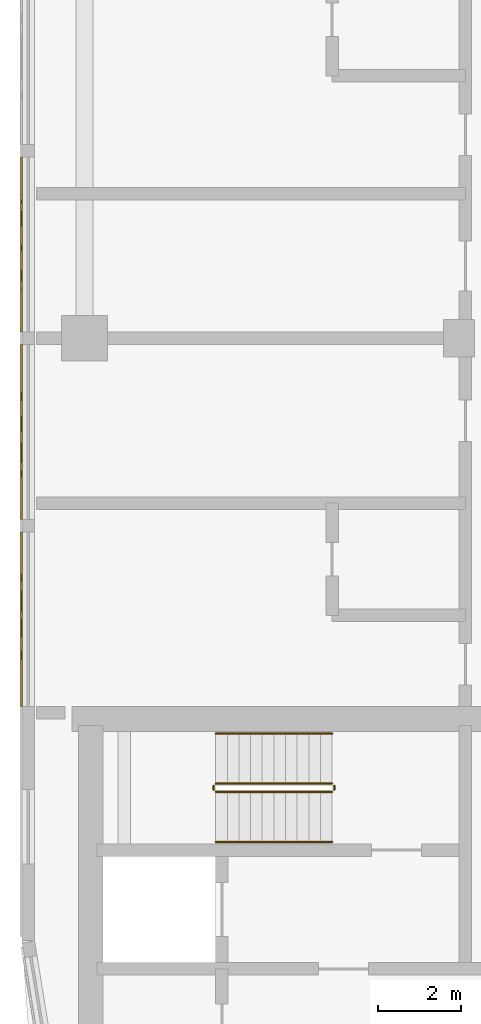
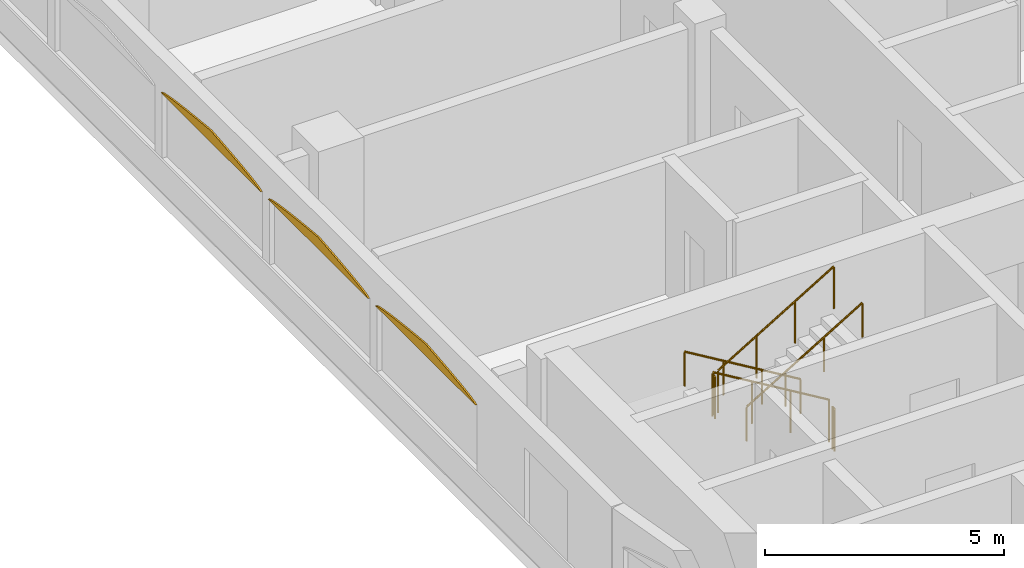
# One storey, part 16 of 22: 6 railings, 3 coverings.
"""IFC4 building model written with IfcOpenShell, lengths in metres."""

from ifc_helpers import new_model, si_unit, direction, frame, origin, origin_2d, place, context, subcontext, project, spatial, polyline, circle, outline, extrude, material, layer, layer_set, type_object, element, save


model = new_model("IFC4")

# Units and contexts
model_context = context("Model", 3, precision=1e-05, world=origin(), true_north=direction((0.0, 1.0)))
body_context = subcontext(model_context, "Body", "Model", "MODEL_VIEW")
ifc_project = project(units=[si_unit("LENGTHUNIT", "METRE"), si_unit("AREAUNIT", "SQUARE_METRE"), si_unit("VOLUMEUNIT", "CUBIC_METRE"), si_unit("PLANEANGLEUNIT", "RADIAN"), si_unit("MASSUNIT", "GRAM", prefix="KILO")], contexts=[model_context])

# Site, building, storey
site_placement = place(None, origin())
site = spatial("IfcSite", under=ifc_project, at=site_placement, CompositionType="ELEMENT")
building_placement = place(site_placement, origin())
building = spatial("IfcBuilding", under=site, at=building_placement, Name="Ogive Portal Towers", CompositionType="ELEMENT")
storey_placement = place(building_placement, frame((0.0, 0.0, 145.89990234375)))
storey = spatial("IfcBuildingStorey", under=building, at=storey_placement, Name="L35", CompositionType="ELEMENT", Elevation=145.89990234375)

# Railings
ifc_material_1 = material(Name="Stainless steel balustrade", Category="steel")
railing_type_1 = type_object("IfcRailingType", Name="INT-GUARD", PredefinedType="GUARDRAIL", material=ifc_material_1)
railing_1_placement = place(storey_placement, frame((37.449951171875, 37.800048828125, 0.168212890625)))
element("IfcRailing", 1, at=railing_1_placement, inside=storey, type_object=railing_type_1, Name="L35 ST-A1 stair guard 1", PredefinedType="GUARDRAIL", context=body_context, shape_type="SweptSolid", body=[
    extrude(circle(Radius=0.02392578125, at=origin_2d()), frame((0.0, 0.0, 1.076171875), z_axis=(-0.857242210791, 0.0, 0.514913383045), x_axis=(0.0, -1.0, 0.0)), (0.0, 0.0, 1.0), 3.266357421875),
    extrude(circle(Radius=0.02099609375, at=origin_2d()), origin(), (0.0, 0.0, 1.0), 1.052001953125),
    extrude(circle(Radius=0.02099609375, at=origin_2d()), frame((-0.933349609375, 0.0, 0.560546875)), (0.0, 0.0, 1.0), 1.052001953125),
    extrude(circle(Radius=0.02099609375, at=origin_2d()), frame((-1.86669921875, 0.0, 1.121337890625)), (0.0, 0.0, 1.0), 1.052001953125),
    extrude(circle(Radius=0.02099609375, at=origin_2d()), frame((-2.800048828125, 0.0, 1.681884765625)), (0.0, 0.0, 1.0), 1.052001953125),
])
railing_2_placement = place(storey_placement, frame((34.60009765625, 37.75, 1.85009765625)))
element("IfcRailing", 2, at=railing_2_placement, inside=storey, type_object=railing_type_1, Name="L35 ST-A1 stair guard 2", PredefinedType="GUARDRAIL", context=body_context, shape_type="SweptSolid", body=[
    extrude(circle(Radius=0.02392578125, at=origin_2d()), frame((0.0, 0.0, 1.076171875), z_axis=(0.0, -1.0, 0.0), x_axis=(1.0, 0.0, 0.0)), (0.0, 0.0, 1.0), 0.10009765625),
    extrude(circle(Radius=0.02099609375, at=origin_2d()), origin(), (0.0, 0.0, 1.0), 1.052001953125),
    extrude(circle(Radius=0.02099609375, at=origin_2d()), frame((0.0, -0.10009765625, 0.0)), (0.0, 0.0, 1.0), 1.052001953125),
])
railing_3_placement = place(storey_placement, frame((34.64990234375, 37.60009765625, 2.018310546875)))
element("IfcRailing", 3, at=railing_3_placement, inside=storey, type_object=railing_type_1, Name="L35 ST-A1 stair guard 3", PredefinedType="GUARDRAIL", context=body_context, shape_type="SweptSolid", body=[
    extrude(circle(Radius=0.02392578125, at=origin_2d()), frame((0.0, 0.0, 1.076171875), z_axis=(0.857242210791, 0.0, 0.514913383045), x_axis=(0.0, 1.0, 0.0)), (0.0, 0.0, 1.0), 3.266357421875),
    extrude(circle(Radius=0.02099609375, at=origin_2d()), origin(), (0.0, 0.0, 1.0), 1.052001953125),
    extrude(circle(Radius=0.02099609375, at=origin_2d()), frame((0.933349609375, 0.0, 0.560546875)), (0.0, 0.0, 1.0), 1.052001953125),
    extrude(circle(Radius=0.02099609375, at=origin_2d()), frame((1.86669921875, 0.0, 1.121337890625)), (0.0, 0.0, 1.0), 1.052001953125),
    extrude(circle(Radius=0.02099609375, at=origin_2d()), frame((2.800048828125, 0.0, 1.681884765625)), (0.0, 0.0, 1.0), 1.052001953125),
])
railing_4_placement = place(storey_placement, frame((37.5, 37.75, 0.0)))
element("IfcRailing", 4, at=railing_4_placement, inside=storey, type_object=railing_type_1, Name="L35 ST-A1 stair guard 4", PredefinedType="GUARDRAIL", context=body_context, shape_type="SweptSolid", body=[
    extrude(circle(Radius=0.02392578125, at=origin_2d()), frame((0.0, 0.0, 1.076171875), z_axis=(0.0, -1.0, 0.0), x_axis=(1.0, 0.0, 0.0)), (0.0, 0.0, 1.0), 0.10009765625),
    extrude(circle(Radius=0.02099609375, at=origin_2d()), origin(), (0.0, 0.0, 1.0), 1.052001953125),
    extrude(circle(Radius=0.02099609375, at=origin_2d()), frame((0.0, -0.10009765625, 0.0)), (0.0, 0.0, 1.0), 1.052001953125),
])
ifc_material_2 = material(Name="Stainless steel handrail", Category="steel")
railing_type_2 = type_object("IfcRailingType", Name="INT-HANDRAIL", PredefinedType="HANDRAIL", material=ifc_material_2)
railing_5_placement = place(storey_placement, frame((37.449951171875, 39.0, 0.168212890625)))
element("IfcRailing", 5, at=railing_5_placement, inside=storey, type_object=railing_type_2, Name="L35 ST-A1 stair handrail 1", PredefinedType="HANDRAIL", context=body_context, shape_type="SweptSolid", body=[
    extrude(circle(Radius=0.02392578125, at=origin_2d()), frame((0.0, 0.0, 0.8759765625), z_axis=(-0.857242210791, 0.0, 0.514913383045), x_axis=(0.0, -1.0, 0.0)), (0.0, 0.0, 1.0), 3.266357421875),
    extrude(circle(Radius=0.02099609375, at=origin_2d()), origin(), (0.0, 0.0, 1.0), 0.851806640625),
    extrude(circle(Radius=0.02099609375, at=origin_2d()), frame((-0.933349609375, 0.0, 0.560546875)), (0.0, 0.0, 1.0), 0.851806640625),
    extrude(circle(Radius=0.02099609375, at=origin_2d()), frame((-1.86669921875, 0.0, 1.121337890625)), (0.0, 0.0, 1.0), 0.851806640625),
    extrude(circle(Radius=0.02099609375, at=origin_2d()), frame((-2.800048828125, 0.0, 1.681884765625)), (0.0, 0.0, 1.0), 0.851806640625),
])
railing_6_placement = place(storey_placement, frame((34.64990234375, 36.39990234375, 2.018310546875)))
element("IfcRailing", 6, at=railing_6_placement, inside=storey, type_object=railing_type_2, Name="L35 ST-A1 stair handrail 2", PredefinedType="HANDRAIL", context=body_context, shape_type="SweptSolid", body=[
    extrude(circle(Radius=0.02392578125, at=origin_2d()), frame((0.0, 0.0, 0.8759765625), z_axis=(0.857242210791, 0.0, 0.514913383045), x_axis=(0.0, 1.0, 0.0)), (0.0, 0.0, 1.0), 3.266357421875),
    extrude(circle(Radius=0.02099609375, at=origin_2d()), origin(), (0.0, 0.0, 1.0), 0.851806640625),
    extrude(circle(Radius=0.02099609375, at=origin_2d()), frame((0.933349609375, 0.0, 0.560546875)), (0.0, 0.0, 1.0), 0.851806640625),
    extrude(circle(Radius=0.02099609375, at=origin_2d()), frame((1.86669921875, 0.0, 1.121337890625)), (0.0, 0.0, 1.0), 0.851806640625),
    extrude(circle(Radius=0.02099609375, at=origin_2d()), frame((2.800048828125, 0.0, 1.681884765625)), (0.0, 0.0, 1.0), 0.851806640625),
])

# Coverings
ifc_material_3 = material(Name="Limestone cladding on lightweight block wall", Category="masonry")
ifc_layer = layer(ifc_material_3, 0.0400390625)
ifc_layer_set = layer_set([ifc_layer], Name="LANCET HEAD STONE")
covering_type = type_object("IfcCoveringType", Name="LANCET HEAD STONE", PredefinedType="CLADDING", material=ifc_layer_set)
for number, where, z_axis, x_axis, name in (
    (7, (30.0, 52.85009765625, 2.60009765625), (0.999948944021, 0.0, 0.010104917167), (0.0, -1.0, 0.0), "Lancet head"),
    (8, (30.0, 48.35009765625, 2.60009765625), (0.999948944021, 0.0, 0.010104917167), (0.0, -1.0, 0.0), "Lancet head"),
    (9, (30.0, 43.85009765625, 2.60009765625), (0.999948944021, 0.0, 0.010104917167), (0.0, -1.0, 0.0), "Lancet head"),
):
    element("IfcCovering", number, at=place(storey_placement, frame(where, z_axis=z_axis, x_axis=x_axis)), inside=storey, type_object=covering_type, Name=name, PredefinedType="CLADDING", context=body_context, shape_type="SweptSolid", body=[
        extrude(outline(polyline([(0.0, 0.0), (4.2001953125, 0.0), (4.107177734375, -0.03760067070644378), (3.9375, -0.07495474623193346), (3.7177734375, -0.11255541693837724), (3.45751953125, -0.14990949246386692), (3.162353515625, -0.1875101631703107), (2.836181640625, -0.2251083668559618), (2.481201171875, -0.26246490940224415), (2.10009765625, -0.30006311308789524), (1.718994140625, -0.26246490940224415), (1.364013671875, -0.2251083668559618), (1.037841796875, -0.1875101631703107), (0.74267578125, -0.14990949246386692), (0.482421875, -0.11255541693837724), (0.2626953125, -0.07495474623193346), (0.093017578125, -0.03760067070644378), (0.0, 0.0)])), origin(), (0.0, 0.0, -1.0), 0.0400390625),
    ])

save(model, "model.ifc")
